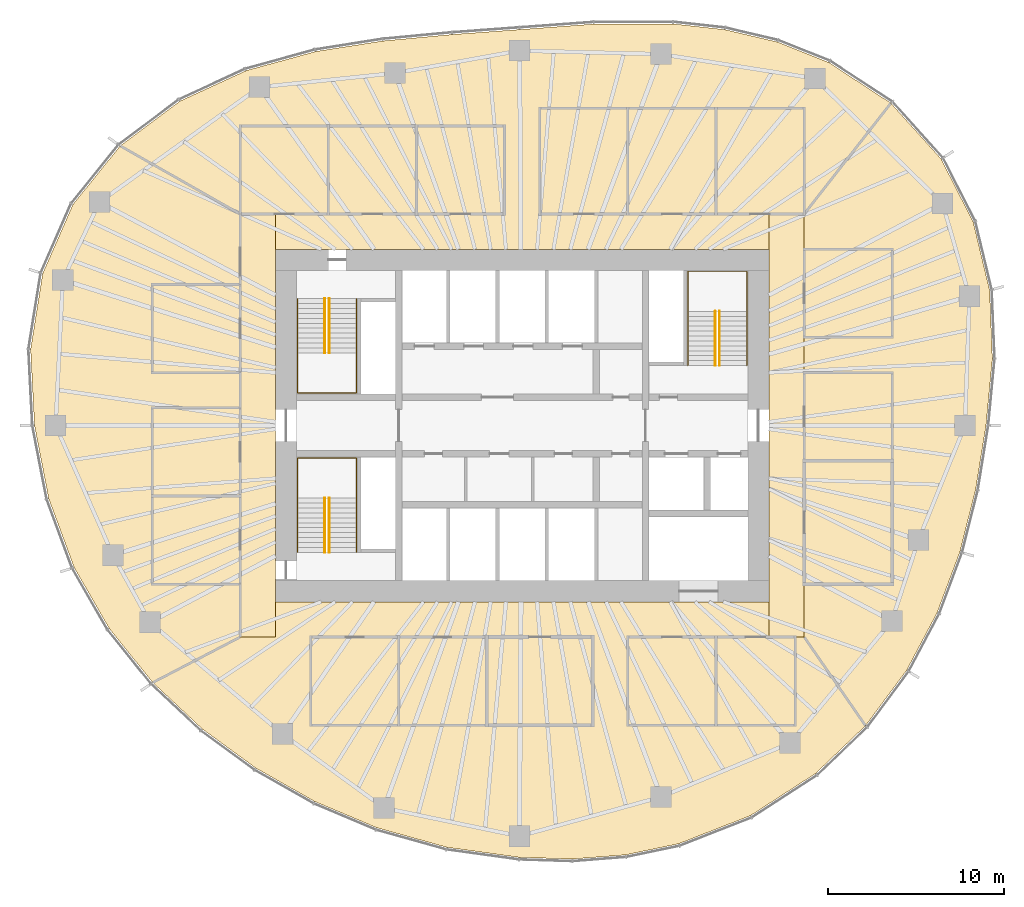
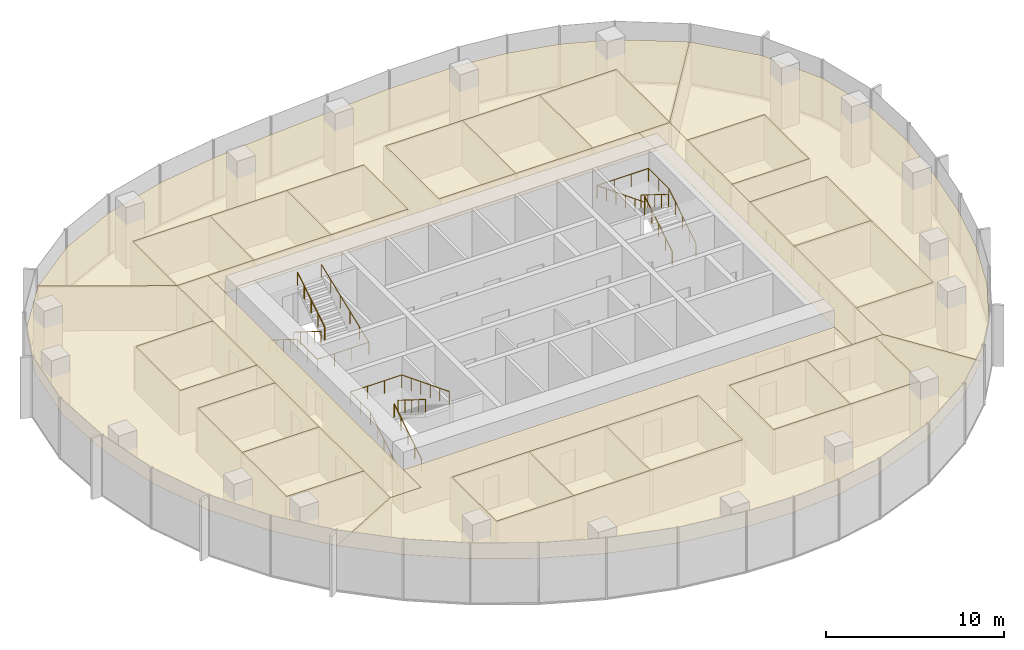
# One storey, part 12 of 12: 23 coverings, 9 railings.
"""IFC4 building model written with IfcOpenShell, lengths in metres."""

from ifc_helpers import new_model, si_unit, direction, frame, origin, origin_2d, place, context, subcontext, project, spatial, polyline, circle, outline, extrude, material, layer, layer_set, type_object, element, save


model = new_model("IFC4")

# Units and contexts
model_context = context("Model", 3, precision=1e-05, world=origin(), true_north=direction((0.0, 1.0)))
body_context = subcontext(model_context, "Body", "Model", "MODEL_VIEW")
ifc_project = project(units=[si_unit("LENGTHUNIT", "METRE"), si_unit("AREAUNIT", "SQUARE_METRE"), si_unit("VOLUMEUNIT", "CUBIC_METRE"), si_unit("PLANEANGLEUNIT", "RADIAN"), si_unit("MASSUNIT", "GRAM", prefix="KILO")], contexts=[model_context])

# Site, building, storey
site_placement = place(None, origin())
site = spatial("IfcSite", under=ifc_project, at=site_placement, CompositionType="ELEMENT")
building_placement = place(site_placement, origin())
building = spatial("IfcBuilding", under=site, at=building_placement, Name="Ghaith Harvest Tower", CompositionType="ELEMENT")
storey_placement = place(building_placement, frame((0.0, 0.0, 249.39990234375)))
storey = spatial("IfcBuildingStorey", under=building, at=storey_placement, Name="L55", CompositionType="ELEMENT", Elevation=249.39990234375)

# Coverings
ifc_material_1 = material(Name="Mineral fibre ceiling tile", Category="gypsum")
ifc_layer = layer(ifc_material_1, 0.02001953125)
ifc_layer_set = layer_set([ifc_layer], Name="CEILING C1")
covering_type = type_object("IfcCoveringType", Name="CEILING C1", PredefinedType="CEILING", material=ifc_layer_set)
covering_1_placement = place(storey_placement, frame((0.0, 0.0, 3.0)))
element("IfcCovering", 1, at=covering_1_placement, inside=storey, type_object=covering_type, Name="Ceiling L55-01", PredefinedType="CEILING", context=body_context, shape_type="SweptSolid", body=[
    extrude(outline(polyline([(-16.0, 12.0), (-11.0, 12.0), (-11.0, 17.0), (-16.0, 17.0), (-16.0, 12.0)])), origin(), (0.0, 0.0, 1.0), 0.02001953125),
])
covering_2_placement = place(storey_placement, frame((0.0, 0.0, 3.0)))
element("IfcCovering", 2, at=covering_2_placement, inside=storey, type_object=covering_type, Name="Ceiling L55-02", PredefinedType="CEILING", context=body_context, shape_type="SweptSolid", body=[
    extrude(outline(polyline([(-11.0, 12.0), (-6.0, 12.0), (-6.0, 17.0), (-11.0, 17.0), (-11.0, 12.0)])), origin(), (0.0, 0.0, 1.0), 0.02001953125),
])
covering_3_placement = place(storey_placement, frame((0.0, 0.0, 3.0)))
element("IfcCovering", 3, at=covering_3_placement, inside=storey, type_object=covering_type, Name="Ceiling L55-03", PredefinedType="CEILING", context=body_context, shape_type="SweptSolid", body=[
    extrude(outline(polyline([(-6.0, 12.0), (-1.0, 12.0), (-1.0, 17.0), (-6.0, 17.0), (-6.0, 12.0)])), origin(), (0.0, 0.0, 1.0), 0.02001953125),
])
covering_4_placement = place(storey_placement, frame((0.0, 0.0, 3.0)))
element("IfcCovering", 4, at=covering_4_placement, inside=storey, type_object=covering_type, Name="Ceiling L55-04", PredefinedType="CEILING", context=body_context, shape_type="SweptSolid", body=[
    extrude(outline(polyline([(1.0, 12.0), (6.0, 12.0), (6.0, 18.0), (1.0, 18.0), (1.0, 12.0)])), origin(), (0.0, 0.0, 1.0), 0.02001953125),
])
covering_5_placement = place(storey_placement, frame((0.0, 0.0, 3.0)))
element("IfcCovering", 5, at=covering_5_placement, inside=storey, type_object=covering_type, Name="Ceiling L55-05", PredefinedType="CEILING", context=body_context, shape_type="SweptSolid", body=[
    extrude(outline(polyline([(6.0, 12.0), (11.0, 12.0), (11.0, 18.0), (6.0, 18.0), (6.0, 12.0)])), origin(), (0.0, 0.0, 1.0), 0.02001953125),
])
covering_6_placement = place(storey_placement, frame((0.0, 0.0, 3.0)))
element("IfcCovering", 6, at=covering_6_placement, inside=storey, type_object=covering_type, Name="Ceiling L55-06", PredefinedType="CEILING", context=body_context, shape_type="SweptSolid", body=[
    extrude(outline(polyline([(11.0, 12.0), (16.0, 12.0), (16.0, 18.0), (11.0, 18.0), (11.0, 12.0)])), origin(), (0.0, 0.0, 1.0), 0.02001953125),
])
covering_7_placement = place(storey_placement, frame((0.0, 0.0, 3.0)))
element("IfcCovering", 7, at=covering_7_placement, inside=storey, type_object=covering_type, Name="Ceiling L55-07", PredefinedType="CEILING", context=body_context, shape_type="SweptSolid", body=[
    extrude(outline(polyline([(16.0, -9.0), (21.0, -9.0), (21.0, -2.0), (16.0, -2.0), (16.0, -9.0)])), origin(), (0.0, 0.0, 1.0), 0.02001953125),
])
covering_8_placement = place(storey_placement, frame((0.0, 0.0, 3.0)))
element("IfcCovering", 8, at=covering_8_placement, inside=storey, type_object=covering_type, Name="Ceiling L55-08", PredefinedType="CEILING", context=body_context, shape_type="SweptSolid", body=[
    extrude(outline(polyline([(16.0, -2.0), (21.0, -2.0), (21.0, 3.0), (16.0, 3.0), (16.0, -2.0)])), origin(), (0.0, 0.0, 1.0), 0.02001953125),
])
covering_9_placement = place(storey_placement, frame((0.0, 0.0, 3.0)))
element("IfcCovering", 9, at=covering_9_placement, inside=storey, type_object=covering_type, Name="Ceiling L55-09", PredefinedType="CEILING", context=body_context, shape_type="SweptSolid", body=[
    extrude(outline(polyline([(-12.0, -17.0), (-7.0, -17.0), (-7.0, -12.0), (-12.0, -12.0), (-12.0, -17.0)])), origin(), (0.0, 0.0, 1.0), 0.02001953125),
])
covering_10_placement = place(storey_placement, frame((0.0, 0.0, 3.0)))
element("IfcCovering", 10, at=covering_10_placement, inside=storey, type_object=covering_type, Name="Ceiling L55-10", PredefinedType="CEILING", context=body_context, shape_type="SweptSolid", body=[
    extrude(outline(polyline([(-7.0, -17.0), (-2.0, -17.0), (-2.0, -12.0), (-7.0, -12.0), (-7.0, -17.0)])), origin(), (0.0, 0.0, 1.0), 0.02001953125),
])
covering_11_placement = place(storey_placement, frame((0.0, 0.0, 3.0)))
element("IfcCovering", 11, at=covering_11_placement, inside=storey, type_object=covering_type, Name="Ceiling L55-11", PredefinedType="CEILING", context=body_context, shape_type="SweptSolid", body=[
    extrude(outline(polyline([(-2.0, -17.0), (4.0, -17.0), (4.0, -12.0), (-2.0, -12.0), (-2.0, -17.0)])), origin(), (0.0, 0.0, 1.0), 0.02001953125),
])
covering_12_placement = place(storey_placement, frame((0.0, 0.0, 3.0)))
element("IfcCovering", 12, at=covering_12_placement, inside=storey, type_object=covering_type, Name="Ceiling L55-12", PredefinedType="CEILING", context=body_context, shape_type="SweptSolid", body=[
    extrude(outline(polyline([(-21.0, -9.0), (-16.0, -9.0), (-16.0, -4.0), (-21.0, -4.0), (-21.0, -9.0)])), origin(), (0.0, 0.0, 1.0), 0.02001953125),
])
covering_13_placement = place(storey_placement, frame((0.0, 0.0, 3.0)))
element("IfcCovering", 13, at=covering_13_placement, inside=storey, type_object=covering_type, Name="Ceiling L55-13", PredefinedType="CEILING", context=body_context, shape_type="SweptSolid", body=[
    extrude(outline(polyline([(-21.0, -4.0), (-16.0, -4.0), (-16.0, 1.0), (-21.0, 1.0), (-21.0, -4.0)])), origin(), (0.0, 0.0, 1.0), 0.02001953125),
])
covering_14_placement = place(storey_placement, frame((0.0, 0.0, 3.0)))
element("IfcCovering", 14, at=covering_14_placement, inside=storey, type_object=covering_type, Name="Ceiling L55-14", PredefinedType="CEILING", context=body_context, shape_type="SweptSolid", body=[
    extrude(outline(polyline([(6.0, -17.0), (11.0, -17.0), (11.0, -12.0), (6.0, -12.0), (6.0, -17.0)])), origin(), (0.0, 0.0, 1.0), 0.02001953125),
])
covering_15_placement = place(storey_placement, frame((0.0, 0.0, 3.0)))
element("IfcCovering", 15, at=covering_15_placement, inside=storey, type_object=covering_type, Name="Ceiling L55-15", PredefinedType="CEILING", context=body_context, shape_type="SweptSolid", body=[
    extrude(outline(polyline([(11.0, -17.0), (15.5, -17.0), (15.5, -12.0), (11.0, -12.0), (11.0, -17.0)])), origin(), (0.0, 0.0, 1.0), 0.02001953125),
])
covering_16_placement = place(storey_placement, frame((0.0, 0.0, 3.0)))
element("IfcCovering", 16, at=covering_16_placement, inside=storey, type_object=covering_type, Name="Ceiling L55-16", PredefinedType="CEILING", context=body_context, shape_type="SweptSolid", body=[
    extrude(outline(polyline([(16.0, 5.0), (21.0, 5.0), (21.0, 10.0), (16.0, 10.0), (16.0, 5.0)])), origin(), (0.0, 0.0, 1.0), 0.02001953125),
])
covering_17_placement = place(storey_placement, frame((0.0, 0.0, 3.0)))
element("IfcCovering", 17, at=covering_17_placement, inside=storey, type_object=covering_type, Name="Ceiling L55-17", PredefinedType="CEILING", context=body_context, shape_type="SweptSolid", body=[
    extrude(outline(polyline([(-21.0, 3.0), (-16.0, 3.0), (-16.0, 8.0), (-21.0, 8.0), (-21.0, 3.0)])), origin(), (0.0, 0.0, 1.0), 0.02001953125),
])
covering_18_placement = place(storey_placement, frame((0.0, 0.0, 3.0)))
element("IfcCovering", 18, at=covering_18_placement, inside=storey, type_object=covering_type, Name="Ceiling L55-C1", PredefinedType="CEILING", context=body_context, shape_type="SweptSolid", body=[
    extrude(outline(polyline([(-14.0, 12.0), (-14.0, -12.0), (-16.0, -12.0), (-16.0, 12.0), (-14.0, 12.0)])), origin(), (0.0, 0.0, 1.0), 0.02001953125),
])
covering_19_placement = place(storey_placement, frame((0.0, 0.0, 3.0)))
element("IfcCovering", 19, at=covering_19_placement, inside=storey, type_object=covering_type, Name="Ceiling L55-C2", PredefinedType="CEILING", context=body_context, shape_type="SweptSolid", body=[
    extrude(outline(polyline([(14.0, -12.0), (14.0, 12.0), (16.0, 12.0), (16.0, -12.0), (14.0, -12.0)])), origin(), (0.0, 0.0, 1.0), 0.02001953125),
])
covering_20_placement = place(storey_placement, frame((0.0, 0.0, 3.0)))
element("IfcCovering", 20, at=covering_20_placement, inside=storey, type_object=covering_type, Name="Ceiling L55-N1", PredefinedType="CEILING", context=body_context, shape_type="SweptSolid", body=[
    extrude(outline(polyline([(-19.408203125, 18.41650390625), (-15.6474609375, 20.147705078125), (-11.694580078125, 21.2314453125), (-7.8837890625, 21.827880859375), (-3.963134765625, 22.192138671875), (-0.15380859375, 22.470458984375), (4.03857421875, 22.78125), (8.522216796875, 22.796875), (11.47265625, 22.47265625), (14.460693359375, 21.771484375), (17.382080078125, 20.612548828125), (20.923095703125, 18.295166015625), (16.0, 12.0), (16.0, 18.0), (1.0, 18.0), (1.0, 12.0), (14.0, 12.0), (14.0, 10.0), (-14.0, 10.0), (-14.0, 12.0), (-1.0, 12.0), (-1.0, 17.0), (-16.0, 17.0), (-16.0, 12.0), (-22.809814453125, 15.87109375), (-19.408203125, 18.41650390625)])), origin(), (0.0, 0.0, 1.0), 0.02001953125),
])
covering_21_placement = place(storey_placement, frame((0.0, 0.0, 3.0)))
element("IfcCovering", 21, at=covering_21_placement, inside=storey, type_object=covering_type, Name="Ceiling L55-E1", PredefinedType="CEILING", context=body_context, shape_type="SweptSolid", body=[
    extrude(outline(polyline([(23.77294921875, 15.12939453125), (25.597900390625, 11.55615234375), (26.531005859375, 7.668212890625), (26.685791015625, 3.779052734375), (26.324951171875, 0.0), (25.734375, -3.644287109375), (24.840576171875, -7.179443359375), (23.548828125, -10.631103515625), (21.821533203125, -13.887451171875), (19.48388671875, -17.036865234375), (16.0, -12.0), (16.0, -9.0), (21.0, -9.0), (21.0, 3.0), (16.0, 3.0), (16.0, 5.0), (21.0, 5.0), (21.0, 10.0), (16.0, 10.0), (16.0, 12.0), (20.923095703125, 18.295166015625), (23.77294921875, 15.12939453125)])), origin(), (0.0, 0.0, 1.0), 0.02001953125),
])
covering_22_placement = place(storey_placement, frame((0.0, 0.0, 3.0)))
element("IfcCovering", 22, at=covering_22_placement, inside=storey, type_object=covering_type, Name="Ceiling L55-S1", PredefinedType="CEILING", context=body_context, shape_type="SweptSolid", body=[
    extrude(outline(polyline([(16.651611328125, -19.746337890625), (12.949462890625, -22.1435546875), (8.8740234375, -23.73779296875), (5.865234375, -24.3662109375), (2.833984375, -24.602294921875), (-0.167724609375, -24.505126953125), (-4.27490234375, -23.9375), (-8.2451171875, -22.82861328125), (-11.75732421875, -21.345703125), (-15.10400390625, -19.447998046875), (-18.15087890625, -17.223388671875), (-20.963134765625, -14.586181640625), (-16.0, -12.0), (-14.0, -12.0), (-14.0, -10.0), (14.0, -10.0), (14.0, -12.0), (6.0, -12.0), (6.0, -17.0), (15.5, -17.0), (15.5, -12.0), (16.0, -12.0), (19.48388671875, -17.036865234375), (16.651611328125, -19.746337890625)]), holes=[polyline([(-12.0, -17.0), (4.0, -17.0), (4.0, -12.0), (-12.0, -12.0), (-12.0, -17.0)])]), origin(), (0.0, 0.0, 1.0), 0.02001953125),
])
covering_23_placement = place(storey_placement, frame((0.0, 0.0, 3.0)))
element("IfcCovering", 23, at=covering_23_placement, inside=storey, type_object=covering_type, Name="Ceiling L55-W1", PredefinedType="CEILING", context=body_context, shape_type="SweptSolid", body=[
    extrude(outline(polyline([(-26.86669921875, -4.155517578125), (-27.675048828125, 0.0), (-27.897216796875, 4.314697265625), (-27.211181640625, 8.623779296875), (-25.491943359375, 12.547607421875), (-22.809814453125, 15.87109375), (-16.0, 12.0), (-16.0, 8.0), (-21.0, 8.0), (-21.0, 3.0), (-16.0, 3.0), (-16.0, 1.0), (-21.0, 1.0), (-21.0, -9.0), (-16.0, -9.0), (-16.0, -12.0), (-20.963134765625, -14.586181640625), (-23.425537109375, -11.530517578125), (-25.424072265625, -8.057373046875), (-26.86669921875, -4.155517578125)])), origin(), (0.0, 0.0, 1.0), 0.02001953125),
])

# Railings
ifc_material_2 = material(Name="Steel, black powder-coated", Category="steel")
railing_type = type_object("IfcRailingType", Name="HANDRAIL HR1", PredefinedType="HANDRAIL", material=ifc_material_2)
railing_1_placement = place(storey_placement, frame((-11.199951171875, 7.199951171875, 0.175048828125)))
element("IfcRailing", 24, at=railing_1_placement, inside=storey, type_object=railing_type, Name="Handrail HR1 stair ST1 L55 flight 1 inner", PredefinedType="HANDRAIL", context=body_context, shape_type="SweptSolid", body=[
    extrude(circle(Radius=0.02392578125, at=origin_2d()), frame((0.0, 0.0, 0.8759765625), z_axis=(0.0, -0.847979421464, 0.530029150871), x_axis=(1.0, 0.0, 0.0)), (0.0, 0.0, 1.0), 3.632080078125),
    extrude(circle(Radius=0.02099609375, at=origin_2d()), origin(), (0.0, 0.0, 1.0), 0.851806640625),
    extrude(circle(Radius=0.02099609375, at=origin_2d()), frame((0.0, -0.77001953125, 0.481201171875)), (0.0, 0.0, 1.0), 0.851806640625),
    extrude(circle(Radius=0.02099609375, at=origin_2d()), frame((0.0, -1.5400390625, 0.96240234375)), (0.0, 0.0, 1.0), 0.851806640625),
    extrude(circle(Radius=0.02099609375, at=origin_2d()), frame((0.0, -2.309814453125, 1.44384765625)), (0.0, 0.0, 1.0), 0.851806640625),
    extrude(circle(Radius=0.02099609375, at=origin_2d()), frame((0.0, -3.079833984375, 1.925048828125)), (0.0, 0.0, 1.0), 0.851806640625),
])
railing_2_placement = place(storey_placement, frame((-10.949951171875, 4.1201171875, 2.275146484375)))
element("IfcRailing", 25, at=railing_2_placement, inside=storey, type_object=railing_type, Name="Handrail HR1 stair ST1 L55 flight 2 inner", PredefinedType="HANDRAIL", context=body_context, shape_type="SweptSolid", body=[
    extrude(circle(Radius=0.02392578125, at=origin_2d()), frame((0.0, 0.0, 0.8759765625), z_axis=(0.0, 0.847979421464, 0.530029150871), x_axis=(-1.0, 0.0, 0.0)), (0.0, 0.0, 1.0), 3.632080078125),
    extrude(circle(Radius=0.02099609375, at=origin_2d()), origin(), (0.0, 0.0, 1.0), 0.851806640625),
    extrude(circle(Radius=0.02099609375, at=origin_2d()), frame((0.0, 0.77001953125, 0.481201171875)), (0.0, 0.0, 1.0), 0.851806640625),
    extrude(circle(Radius=0.02099609375, at=origin_2d()), frame((0.0, 1.5400390625, 0.96240234375)), (0.0, 0.0, 1.0), 0.851806640625),
    extrude(circle(Radius=0.02099609375, at=origin_2d()), frame((0.0, 2.309814453125, 1.44384765625)), (0.0, 0.0, 1.0), 0.851806640625),
    extrude(circle(Radius=0.02099609375, at=origin_2d()), frame((0.0, 3.079833984375, 1.925048828125)), (0.0, 0.0, 1.0), 0.851806640625),
])
railing_3_placement = place(storey_placement, frame((-12.75, 7.199951171875, 0.175048828125)))
element("IfcRailing", 26, at=railing_3_placement, inside=storey, type_object=railing_type, Name="Handrail HR1 stair ST1 L55 wall side", PredefinedType="HANDRAIL", context=body_context, shape_type="SweptSolid", body=[
    extrude(circle(Radius=0.02392578125, at=origin_2d()), frame((0.0, 0.0, 0.8759765625), z_axis=(0.0, -0.847979421464, 0.530029150871), x_axis=(1.0, 0.0, 0.0)), (0.0, 0.0, 1.0), 3.632080078125),
    extrude(circle(Radius=0.02392578125, at=origin_2d()), frame((0.0, -3.079833984375, 2.80078125), z_axis=(0.0, -1.0, 0.0), x_axis=(1.0, 0.0, 0.0)), (0.0, 0.0, 1.0), 2.27001953125),
    extrude(circle(Radius=0.02392578125, at=origin_2d()), frame((0.0, -5.349853515625, 2.80078125), z_axis=(1.0, 0.0, 0.0), x_axis=(0.0, 1.0, 0.0)), (0.0, 0.0, 1.0), 3.35009765625),
    extrude(circle(Radius=0.02392578125, at=origin_2d()), frame((3.35009765625, -5.349853515625, 2.80078125), z_axis=(0.0, 0.930848013298, 0.36540659017), x_axis=(-1.0, 0.0, 0.0)), (0.0, 0.0, 1.0), 5.747314453125),
    extrude(circle(Radius=0.02099609375, at=origin_2d()), origin(), (0.0, 0.0, 1.0), 0.851806640625),
    extrude(circle(Radius=0.02099609375, at=origin_2d()), frame((0.0, -0.77001953125, 0.481201171875)), (0.0, 0.0, 1.0), 0.851806640625),
    extrude(circle(Radius=0.02099609375, at=origin_2d()), frame((0.0, -1.5400390625, 0.96240234375)), (0.0, 0.0, 1.0), 0.851806640625),
    extrude(circle(Radius=0.02099609375, at=origin_2d()), frame((0.0, -2.309814453125, 1.44384765625)), (0.0, 0.0, 1.0), 0.851806640625),
    extrude(circle(Radius=0.02099609375, at=origin_2d()), frame((0.0, -3.079833984375, 1.925048828125)), (0.0, 0.0, 1.0), 0.851806640625),
    extrude(circle(Radius=0.02099609375, at=origin_2d()), frame((0.0, -4.21484375, 1.925048828125)), (0.0, 0.0, 1.0), 0.851806640625),
    extrude(circle(Radius=0.02099609375, at=origin_2d()), frame((0.0, -5.349853515625, 1.925048828125)), (0.0, 0.0, 1.0), 0.851806640625),
    extrude(circle(Radius=0.02099609375, at=origin_2d()), frame((1.11669921875, -5.349853515625, 1.925048828125)), (0.0, 0.0, 1.0), 0.851806640625),
    extrude(circle(Radius=0.02099609375, at=origin_2d()), frame((2.2333984375, -5.349853515625, 1.925048828125)), (0.0, 0.0, 1.0), 0.851806640625),
    extrude(circle(Radius=0.02099609375, at=origin_2d()), frame((3.35009765625, -5.349853515625, 1.925048828125)), (0.0, 0.0, 1.0), 0.851806640625),
    extrude(circle(Radius=0.02099609375, at=origin_2d()), frame((3.35009765625, -4.27978515625, 2.344970703125)), (0.0, 0.0, 1.0), 0.851806640625),
    extrude(circle(Radius=0.02099609375, at=origin_2d()), frame((3.35009765625, -3.2099609375, 2.76513671875)), (0.0, 0.0, 1.0), 0.851806640625),
    extrude(circle(Radius=0.02099609375, at=origin_2d()), frame((3.35009765625, -2.139892578125, 3.18505859375)), (0.0, 0.0, 1.0), 0.851806640625),
    extrude(circle(Radius=0.02099609375, at=origin_2d()), frame((3.35009765625, -1.070068359375, 3.605224609375)), (0.0, 0.0, 1.0), 0.851806640625),
    extrude(circle(Radius=0.02099609375, at=origin_2d()), frame((3.35009765625, 0.0, 4.025146484375)), (0.0, 0.0, 1.0), 0.851806640625),
])
railing_4_placement = place(storey_placement, frame((-11.199951171875, -7.199951171875, 0.175048828125)))
element("IfcRailing", 27, at=railing_4_placement, inside=storey, type_object=railing_type, Name="Handrail HR1 stair ST3 L55 flight 1 inner", PredefinedType="HANDRAIL", context=body_context, shape_type="SweptSolid", body=[
    extrude(circle(Radius=0.02392578125, at=origin_2d()), frame((0.0, 0.0, 0.8759765625), z_axis=(0.0, 0.847979421464, 0.530029150871), x_axis=(-1.0, 0.0, 0.0)), (0.0, 0.0, 1.0), 3.632080078125),
    extrude(circle(Radius=0.02099609375, at=origin_2d()), origin(), (0.0, 0.0, 1.0), 0.851806640625),
    extrude(circle(Radius=0.02099609375, at=origin_2d()), frame((0.0, 0.77001953125, 0.481201171875)), (0.0, 0.0, 1.0), 0.851806640625),
    extrude(circle(Radius=0.02099609375, at=origin_2d()), frame((0.0, 1.5400390625, 0.96240234375)), (0.0, 0.0, 1.0), 0.851806640625),
    extrude(circle(Radius=0.02099609375, at=origin_2d()), frame((0.0, 2.309814453125, 1.44384765625)), (0.0, 0.0, 1.0), 0.851806640625),
    extrude(circle(Radius=0.02099609375, at=origin_2d()), frame((0.0, 3.079833984375, 1.925048828125)), (0.0, 0.0, 1.0), 0.851806640625),
])
railing_5_placement = place(storey_placement, frame((-10.949951171875, -4.1201171875, 2.275146484375)))
element("IfcRailing", 28, at=railing_5_placement, inside=storey, type_object=railing_type, Name="Handrail HR1 stair ST3 L55 flight 2 inner", PredefinedType="HANDRAIL", context=body_context, shape_type="SweptSolid", body=[
    extrude(circle(Radius=0.02392578125, at=origin_2d()), frame((0.0, 0.0, 0.8759765625), z_axis=(0.0, -0.847979421464, 0.530029150871), x_axis=(1.0, 0.0, 0.0)), (0.0, 0.0, 1.0), 3.632080078125),
    extrude(circle(Radius=0.02099609375, at=origin_2d()), origin(), (0.0, 0.0, 1.0), 0.851806640625),
    extrude(circle(Radius=0.02099609375, at=origin_2d()), frame((0.0, -0.77001953125, 0.481201171875)), (0.0, 0.0, 1.0), 0.851806640625),
    extrude(circle(Radius=0.02099609375, at=origin_2d()), frame((0.0, -1.5400390625, 0.96240234375)), (0.0, 0.0, 1.0), 0.851806640625),
    extrude(circle(Radius=0.02099609375, at=origin_2d()), frame((0.0, -2.309814453125, 1.44384765625)), (0.0, 0.0, 1.0), 0.851806640625),
    extrude(circle(Radius=0.02099609375, at=origin_2d()), frame((0.0, -3.079833984375, 1.925048828125)), (0.0, 0.0, 1.0), 0.851806640625),
])
railing_6_placement = place(storey_placement, frame((-12.75, -7.199951171875, 0.175048828125)))
element("IfcRailing", 29, at=railing_6_placement, inside=storey, type_object=railing_type, Name="Handrail HR1 stair ST3 L55 wall side", PredefinedType="HANDRAIL", context=body_context, shape_type="SweptSolid", body=[
    extrude(circle(Radius=0.02392578125, at=origin_2d()), frame((0.0, 0.0, 0.8759765625), z_axis=(0.0, 0.847979421464, 0.530029150871), x_axis=(-1.0, 0.0, 0.0)), (0.0, 0.0, 1.0), 3.632080078125),
    extrude(circle(Radius=0.02392578125, at=origin_2d()), frame((0.0, 3.079833984375, 2.80078125), z_axis=(0.0, 1.0, 0.0), x_axis=(-1.0, 0.0, 0.0)), (0.0, 0.0, 1.0), 2.27001953125),
    extrude(circle(Radius=0.02392578125, at=origin_2d()), frame((0.0, 5.349853515625, 2.80078125), z_axis=(1.0, 0.0, 0.0), x_axis=(0.0, 1.0, 0.0)), (0.0, 0.0, 1.0), 3.35009765625),
    extrude(circle(Radius=0.02392578125, at=origin_2d()), frame((3.35009765625, 5.349853515625, 2.80078125), z_axis=(0.0, -0.930848013298, 0.36540659017), x_axis=(1.0, 0.0, 0.0)), (0.0, 0.0, 1.0), 5.747314453125),
    extrude(circle(Radius=0.02099609375, at=origin_2d()), origin(), (0.0, 0.0, 1.0), 0.851806640625),
    extrude(circle(Radius=0.02099609375, at=origin_2d()), frame((0.0, 0.77001953125, 0.481201171875)), (0.0, 0.0, 1.0), 0.851806640625),
    extrude(circle(Radius=0.02099609375, at=origin_2d()), frame((0.0, 1.5400390625, 0.96240234375)), (0.0, 0.0, 1.0), 0.851806640625),
    extrude(circle(Radius=0.02099609375, at=origin_2d()), frame((0.0, 2.309814453125, 1.44384765625)), (0.0, 0.0, 1.0), 0.851806640625),
    extrude(circle(Radius=0.02099609375, at=origin_2d()), frame((0.0, 3.079833984375, 1.925048828125)), (0.0, 0.0, 1.0), 0.851806640625),
    extrude(circle(Radius=0.02099609375, at=origin_2d()), frame((0.0, 4.21484375, 1.925048828125)), (0.0, 0.0, 1.0), 0.851806640625),
    extrude(circle(Radius=0.02099609375, at=origin_2d()), frame((0.0, 5.349853515625, 1.925048828125)), (0.0, 0.0, 1.0), 0.851806640625),
    extrude(circle(Radius=0.02099609375, at=origin_2d()), frame((1.11669921875, 5.349853515625, 1.925048828125)), (0.0, 0.0, 1.0), 0.851806640625),
    extrude(circle(Radius=0.02099609375, at=origin_2d()), frame((2.2333984375, 5.349853515625, 1.925048828125)), (0.0, 0.0, 1.0), 0.851806640625),
    extrude(circle(Radius=0.02099609375, at=origin_2d()), frame((3.35009765625, 5.349853515625, 1.925048828125)), (0.0, 0.0, 1.0), 0.851806640625),
    extrude(circle(Radius=0.02099609375, at=origin_2d()), frame((3.35009765625, 4.27978515625, 2.344970703125)), (0.0, 0.0, 1.0), 0.851806640625),
    extrude(circle(Radius=0.02099609375, at=origin_2d()), frame((3.35009765625, 3.2099609375, 2.76513671875)), (0.0, 0.0, 1.0), 0.851806640625),
    extrude(circle(Radius=0.02099609375, at=origin_2d()), frame((3.35009765625, 2.139892578125, 3.18505859375)), (0.0, 0.0, 1.0), 0.851806640625),
    extrude(circle(Radius=0.02099609375, at=origin_2d()), frame((3.35009765625, 1.070068359375, 3.605224609375)), (0.0, 0.0, 1.0), 0.851806640625),
    extrude(circle(Radius=0.02099609375, at=origin_2d()), frame((3.35009765625, 0.0, 4.025146484375)), (0.0, 0.0, 1.0), 0.851806640625),
])
railing_7_placement = place(storey_placement, frame((11.199951171875, 3.39990234375, 0.175048828125)))
element("IfcRailing", 30, at=railing_7_placement, inside=storey, type_object=railing_type, Name="Handrail HR1 stair ST2 L55 flight 1 inner", PredefinedType="HANDRAIL", context=body_context, shape_type="SweptSolid", body=[
    extrude(circle(Radius=0.02392578125, at=origin_2d()), frame((0.0, 0.0, 0.8759765625), z_axis=(0.0, 0.847998304005, 0.529998940003), x_axis=(-1.0, 0.0, 0.0)), (0.0, 0.0, 1.0), 3.632080078125),
    extrude(circle(Radius=0.02099609375, at=origin_2d()), origin(), (0.0, 0.0, 1.0), 0.851806640625),
    extrude(circle(Radius=0.02099609375, at=origin_2d()), frame((0.0, 0.77001953125, 0.481201171875)), (0.0, 0.0, 1.0), 0.851806640625),
    extrude(circle(Radius=0.02099609375, at=origin_2d()), frame((0.0, 1.5400390625, 0.96240234375)), (0.0, 0.0, 1.0), 0.851806640625),
    extrude(circle(Radius=0.02099609375, at=origin_2d()), frame((0.0, 2.31005859375, 1.44384765625)), (0.0, 0.0, 1.0), 0.851806640625),
    extrude(circle(Radius=0.02099609375, at=origin_2d()), frame((0.0, 3.080078125, 1.925048828125)), (0.0, 0.0, 1.0), 0.851806640625),
])
railing_8_placement = place(storey_placement, frame((10.949951171875, 6.47998046875, 2.275146484375)))
element("IfcRailing", 31, at=railing_8_placement, inside=storey, type_object=railing_type, Name="Handrail HR1 stair ST2 L55 flight 2 inner", PredefinedType="HANDRAIL", context=body_context, shape_type="SweptSolid", body=[
    extrude(circle(Radius=0.02392578125, at=origin_2d()), frame((0.0, 0.0, 0.8759765625), z_axis=(0.0, -0.847998304005, 0.529998940003), x_axis=(1.0, 0.0, 0.0)), (0.0, 0.0, 1.0), 3.632080078125),
    extrude(circle(Radius=0.02099609375, at=origin_2d()), origin(), (0.0, 0.0, 1.0), 0.851806640625),
    extrude(circle(Radius=0.02099609375, at=origin_2d()), frame((0.0, -0.77001953125, 0.481201171875)), (0.0, 0.0, 1.0), 0.851806640625),
    extrude(circle(Radius=0.02099609375, at=origin_2d()), frame((0.0, -1.5400390625, 0.96240234375)), (0.0, 0.0, 1.0), 0.851806640625),
    extrude(circle(Radius=0.02099609375, at=origin_2d()), frame((0.0, -2.31005859375, 1.44384765625)), (0.0, 0.0, 1.0), 0.851806640625),
    extrude(circle(Radius=0.02099609375, at=origin_2d()), frame((0.0, -3.080078125, 1.925048828125)), (0.0, 0.0, 1.0), 0.851806640625),
])
railing_9_placement = place(storey_placement, frame((12.75, 3.39990234375, 0.175048828125)))
element("IfcRailing", 32, at=railing_9_placement, inside=storey, type_object=railing_type, Name="Handrail HR1 stair ST2 L55 wall side", PredefinedType="HANDRAIL", context=body_context, shape_type="SweptSolid", body=[
    extrude(circle(Radius=0.02392578125, at=origin_2d()), frame((0.0, 0.0, 0.8759765625), z_axis=(0.0, 0.847998304005, 0.529998940003), x_axis=(-1.0, 0.0, 0.0)), (0.0, 0.0, 1.0), 3.632080078125),
    extrude(circle(Radius=0.02392578125, at=origin_2d()), frame((0.0, 3.080078125, 2.80078125), z_axis=(0.0, 1.0, 0.0), x_axis=(-1.0, 0.0, 0.0)), (0.0, 0.0, 1.0), 2.27001953125),
    extrude(circle(Radius=0.02392578125, at=origin_2d()), frame((0.0, 5.35009765625, 2.80078125), z_axis=(-1.0, 0.0, 0.0), x_axis=(0.0, -1.0, 0.0)), (0.0, 0.0, 1.0), 3.35009765625),
    extrude(circle(Radius=0.02392578125, at=origin_2d()), frame((-3.35009765625, 5.35009765625, 2.80078125), z_axis=(0.0, -0.930853684876, 0.365392141887), x_axis=(1.0, 0.0, 0.0)), (0.0, 0.0, 1.0), 5.74755859375),
    extrude(circle(Radius=0.02099609375, at=origin_2d()), origin(), (0.0, 0.0, 1.0), 0.851806640625),
    extrude(circle(Radius=0.02099609375, at=origin_2d()), frame((0.0, 0.77001953125, 0.481201171875)), (0.0, 0.0, 1.0), 0.851806640625),
    extrude(circle(Radius=0.02099609375, at=origin_2d()), frame((0.0, 1.5400390625, 0.96240234375)), (0.0, 0.0, 1.0), 0.851806640625),
    extrude(circle(Radius=0.02099609375, at=origin_2d()), frame((0.0, 2.31005859375, 1.44384765625)), (0.0, 0.0, 1.0), 0.851806640625),
    extrude(circle(Radius=0.02099609375, at=origin_2d()), frame((0.0, 3.080078125, 1.925048828125)), (0.0, 0.0, 1.0), 0.851806640625),
    extrude(circle(Radius=0.02099609375, at=origin_2d()), frame((0.0, 4.215087890625, 1.925048828125)), (0.0, 0.0, 1.0), 0.851806640625),
    extrude(circle(Radius=0.02099609375, at=origin_2d()), frame((0.0, 5.35009765625, 1.925048828125)), (0.0, 0.0, 1.0), 0.851806640625),
    extrude(circle(Radius=0.02099609375, at=origin_2d()), frame((-1.11669921875, 5.35009765625, 1.925048828125)), (0.0, 0.0, 1.0), 0.851806640625),
    extrude(circle(Radius=0.02099609375, at=origin_2d()), frame((-2.2333984375, 5.35009765625, 1.925048828125)), (0.0, 0.0, 1.0), 0.851806640625),
    extrude(circle(Radius=0.02099609375, at=origin_2d()), frame((-3.35009765625, 5.35009765625, 1.925048828125)), (0.0, 0.0, 1.0), 0.851806640625),
    extrude(circle(Radius=0.02099609375, at=origin_2d()), frame((-3.35009765625, 4.280029296875, 2.344970703125)), (0.0, 0.0, 1.0), 0.851806640625),
    extrude(circle(Radius=0.02099609375, at=origin_2d()), frame((-3.35009765625, 3.2099609375, 2.76513671875)), (0.0, 0.0, 1.0), 0.851806640625),
    extrude(circle(Radius=0.02099609375, at=origin_2d()), frame((-3.35009765625, 2.14013671875, 3.18505859375)), (0.0, 0.0, 1.0), 0.851806640625),
    extrude(circle(Radius=0.02099609375, at=origin_2d()), frame((-3.35009765625, 1.070068359375, 3.605224609375)), (0.0, 0.0, 1.0), 0.851806640625),
    extrude(circle(Radius=0.02099609375, at=origin_2d()), frame((-3.35009765625, 0.0, 4.025146484375)), (0.0, 0.0, 1.0), 0.851806640625),
])

save(model, "model.ifc")
